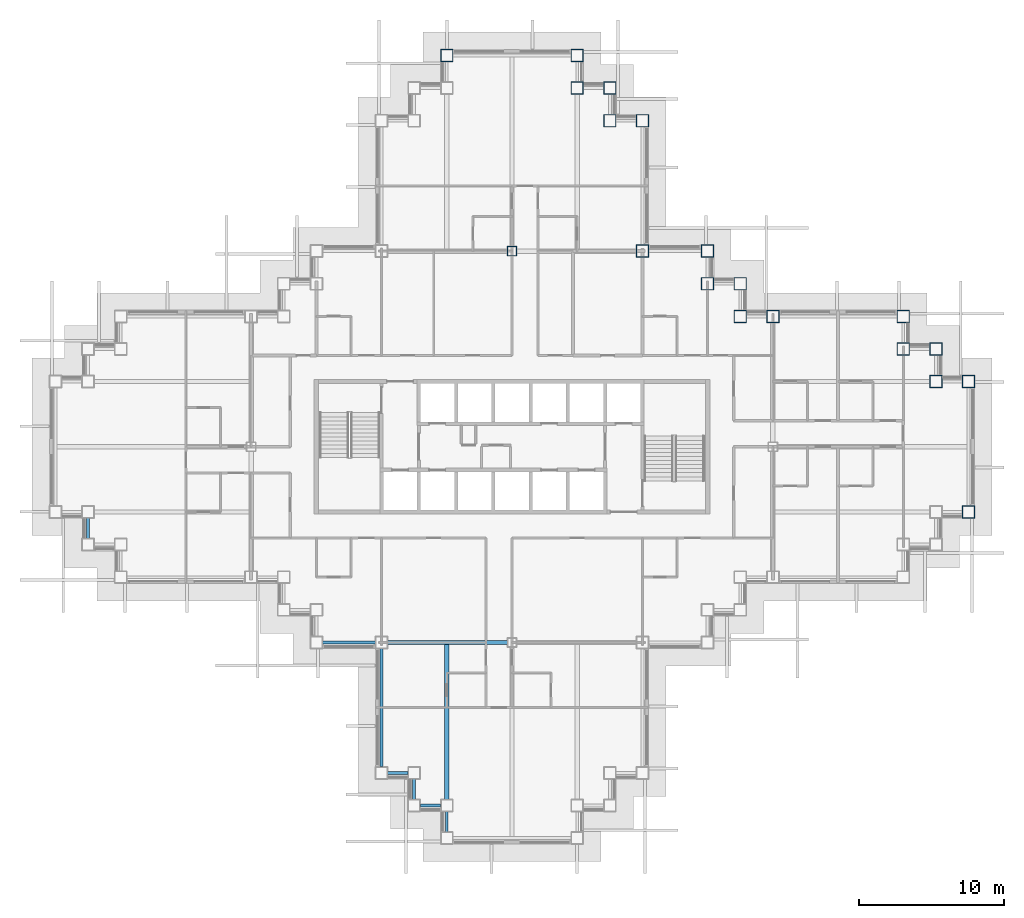
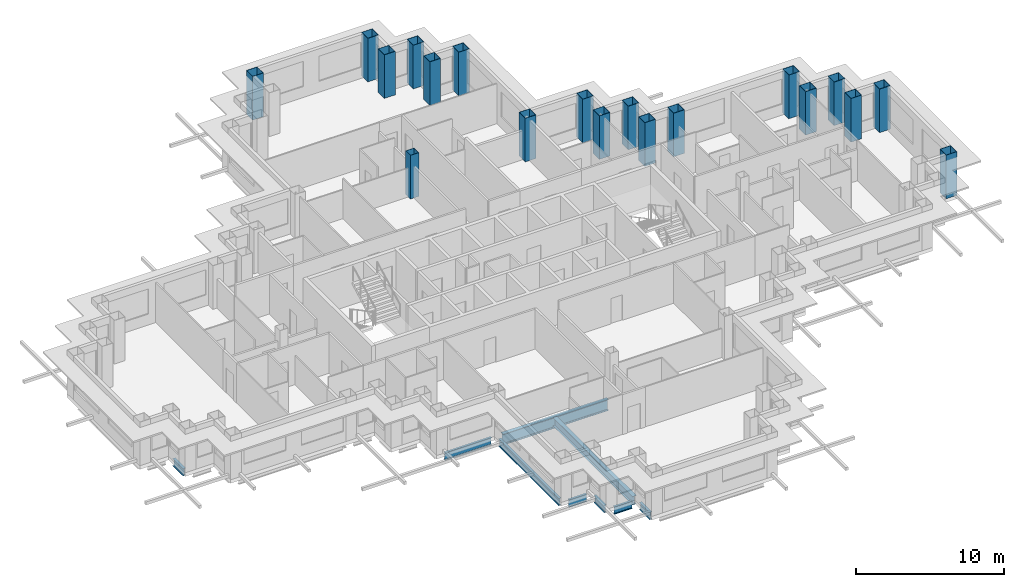
# One storey, part 2 of 17: 19 columns, 9 beams.
"""IFC4 building model written with IfcOpenShell, lengths in metres."""

from ifc_helpers import new_model, si_unit, direction, frame, origin, origin_2d, place, context, subcontext, project, spatial, hollow_rectangle, i_section, extrude, material, material_profile, profile_set, type_object, element, save


model = new_model("IFC4")

# Units and contexts
model_context = context("Model", 3, precision=1e-05, world=origin(), true_north=direction((0.0, 1.0)))
body_context = subcontext(model_context, "Body", "Model", "MODEL_VIEW")
ifc_project = project(units=[si_unit("LENGTHUNIT", "METRE"), si_unit("AREAUNIT", "SQUARE_METRE"), si_unit("VOLUMEUNIT", "CUBIC_METRE"), si_unit("PLANEANGLEUNIT", "RADIAN"), si_unit("MASSUNIT", "GRAM", prefix="KILO")], contexts=[model_context])

# Site, building, storey
site_placement = place(None, origin())
site = spatial("IfcSite", under=ifc_project, at=site_placement, CompositionType="ELEMENT")
building_placement = place(site_placement, origin())
building = spatial("IfcBuilding", under=site, at=building_placement, Name="Caravel Reach Hotel and Residences", CompositionType="ELEMENT")
storey_placement = place(building_placement, frame((0.0, 0.0, 126.0)))
storey = spatial("IfcBuildingStorey", under=building, at=storey_placement, Name="L31", CompositionType="ELEMENT", Elevation=126.0)

# Columns
ifc_material_1 = material(Name="Concrete-filled steel tube Q390B with Concrete C70 infill", Category="concrete")
ifc_material_profile_1 = material_profile(ifc_material_1, hollow_rectangle(XDim=0.64990234375, YDim=0.64990234375, WallThickness=0.02099609375, at=origin_2d()), Name="RHS 650x650x21")
ifc_profile_set_1 = profile_set([ifc_material_profile_1], Name="Concrete-filled steel tube Q390B with Concrete C70 infill")
column_type_1 = type_object("IfcColumnType", Name="CFT 650x650 Q390B C70", PredefinedType="COLUMN", material=ifc_profile_set_1)
column_placement = place(storey_placement, frame((31.5, 40.5, 0.0), z_axis=(0.0, 0.0, 1.0), x_axis=(1.0, 0.0, 0.0)))
element("IfcColumn", 1, at=column_placement, inside=storey, type_object=column_type_1, Name="C17 column", PredefinedType="COLUMN", context=body_context, shape_type="SweptSolid", body=[
    extrude(hollow_rectangle(XDim=0.64990234375, YDim=0.64990234375, WallThickness=0.02099609375, at=origin_2d()), origin(), (0.0, 0.0, 1.0), 3.60009765625),
])
ifc_material_2 = material(Name="Concrete-filled steel tube Q390B with Concrete C70 infill", Category="concrete")
ifc_material_profile_2 = material_profile(ifc_material_2, hollow_rectangle(XDim=0.85009765625, YDim=0.85009765625, WallThickness=0.02587890625, at=origin_2d()), Name="RHS 850x850x26")
ifc_profile_set_2 = profile_set([ifc_material_profile_2], Name="Concrete-filled steel tube Q390B with Concrete C70 infill")
column_type_2 = type_object("IfcColumnType", Name="CFT 850x850 Q390B C70", PredefinedType="COLUMN", material=ifc_profile_set_2)
for number, where, z_axis, x_axis, name in (
    (2, (63.0, 22.5, 0.0), (0.0, 0.0, 1.0), (1.0, 0.0, 0.0), "C13 column"),
    (3, (63.0, 31.5, 0.0), (0.0, 0.0, 1.0), (1.0, 0.0, 0.0), "C13 column"),
    (4, (60.75, 31.5, 0.0), (0.0, 0.0, 1.0), (1.0, 0.0, 0.0), "C13 column"),
    (5, (60.75, 33.75, 0.0), (0.0, 0.0, 1.0), (1.0, 0.0, 0.0), "C13 column"),
    (6, (58.5, 33.75, 0.0), (0.0, 0.0, 1.0), (1.0, 0.0, 0.0), "C13 column"),
    (7, (58.5, 36.0, 0.0), (0.0, 0.0, 1.0), (1.0, 0.0, 0.0), "C13 column"),
    (8, (49.5, 36.0, 0.0), (0.0, 0.0, 1.0), (1.0, 0.0, 0.0), "C13 column"),
    (9, (47.25, 36.0, 0.0), (0.0, 0.0, 1.0), (1.0, 0.0, 0.0), "C13 column"),
    (10, (47.25, 38.25, 0.0), (0.0, 0.0, 1.0), (1.0, 0.0, 0.0), "C13 column"),
    (11, (45.0, 38.25, 0.0), (0.0, 0.0, 1.0), (1.0, 0.0, 0.0), "C13 column"),
    (12, (45.0, 40.5, 0.0), (0.0, 0.0, 1.0), (1.0, 0.0, 0.0), "C13 column"),
    (13, (40.5, 40.5, 0.0), (0.0, 0.0, 1.0), (1.0, 0.0, 0.0), "C13 column"),
    (14, (40.5, 49.5, 0.0), (0.0, 0.0, 1.0), (1.0, 0.0, 0.0), "C13 column"),
    (15, (38.25, 49.5, 0.0), (0.0, 0.0, 1.0), (1.0, 0.0, 0.0), "C13 column"),
    (16, (38.25, 51.75, 0.0), (0.0, 0.0, 1.0), (1.0, 0.0, 0.0), "C13 column"),
    (17, (36.0, 51.75, 0.0), (0.0, 0.0, 1.0), (1.0, 0.0, 0.0), "C13 column"),
    (18, (36.0, 54.0, 0.0), (0.0, 0.0, 1.0), (1.0, 0.0, 0.0), "C13 column"),
    (19, (27.0, 54.0, 0.0), (0.0, 0.0, 1.0), (1.0, 0.0, 0.0), "C13 column"),
):
    element("IfcColumn", number, at=place(storey_placement, frame(where, z_axis=z_axis, x_axis=x_axis)), inside=storey, type_object=column_type_2, Name=name, PredefinedType="COLUMN", context=body_context, shape_type="SweptSolid", body=[
        extrude(hollow_rectangle(XDim=0.85009765625, YDim=0.85009765625, WallThickness=0.02587890625, at=origin_2d()), origin(), (0.0, 0.0, 1.0), 3.60009765625),
    ])

# Beams
ifc_material_3 = material(Name="Structural steel Q355B", Category="steel")
ifc_material_profile_3 = material_profile(ifc_material_3, i_section(OverallWidth=0.300048828125, OverallDepth=0.699951171875, WebThickness=0.012939453125, FlangeThickness=0.02392578125, FilletRadius=0.01806640625, at=origin_2d()), Name="HN 700x300x13x24")
ifc_profile_set_3 = profile_set([ifc_material_profile_3], Name="Structural steel Q355B")
beam_type_1 = type_object("IfcBeamType", Name="Beam HN 700x300x13x24", PredefinedType="BEAM", material=ifc_profile_set_3)
beam_1_placement = place(storey_placement, frame((27.0, 13.39990234375, -0.64990234375), z_axis=(0.0, -1.0, 0.0), x_axis=(1.0, 0.0, 0.0)))
element("IfcBeam", 20, at=beam_1_placement, inside=storey, type_object=beam_type_1, Name="B2 HN 700x300x13x24", PredefinedType="BEAM", context=body_context, shape_type="SweptSolid", body=[
    extrude(i_section(OverallWidth=0.300048828125, OverallDepth=0.699951171875, WebThickness=0.012939453125, FlangeThickness=0.02392578125, FilletRadius=0.01806640625, at=origin_2d()), origin(), (0.0, 0.0, 1.0), 10.77490234375),
])
ifc_material_4 = material(Name="Structural steel Q355B", Category="steel")
ifc_material_profile_4 = material_profile(ifc_material_4, i_section(OverallWidth=0.300048828125, OverallDepth=0.89990234375, WebThickness=0.01611328125, FlangeThickness=0.028076171875, FilletRadius=0.01806640625, at=origin_2d()), Name="HN 900x300x16x28")
ifc_profile_set_4 = profile_set([ifc_material_profile_4], Name="Structural steel Q355B")
beam_type_2 = type_object("IfcBeamType", Name="Beam HN 900x300x16x28", PredefinedType="BEAM", material=ifc_profile_set_4)
beam_2_placement = place(storey_placement, frame((22.925048828125, 13.5, -0.75), z_axis=(1.0, 0.0, 0.0), x_axis=(0.0, 1.0, 0.0)))
element("IfcBeam", 21, at=beam_2_placement, inside=storey, type_object=beam_type_2, Name="B3 HN 900x300x16x28", PredefinedType="BEAM", context=body_context, shape_type="SweptSolid", body=[
    extrude(i_section(OverallWidth=0.300048828125, OverallDepth=0.89990234375, WebThickness=0.01611328125, FlangeThickness=0.028076171875, FilletRadius=0.01806640625, at=origin_2d()), origin(), (0.0, 0.0, 1.0), 8.25),
])
ifc_material_5 = material(Name="Structural steel Q355B", Category="steel")
ifc_material_profile_5 = material_profile(ifc_material_5, i_section(OverallWidth=0.199951171875, OverallDepth=0.60009765625, WebThickness=0.010986328125, FlangeThickness=0.01708984375, FilletRadius=0.012939453125, at=origin_2d()), Name="HN 600x200x11x17")
ifc_profile_set_5 = profile_set([ifc_material_profile_5], Name="Structural steel Q355B")
beam_type_3 = type_object("IfcBeamType", Name="Spandrel beam HN 600x200x11x17", PredefinedType="SPANDREL", material=ifc_profile_set_5)
for number, where, z_axis, x_axis, name in (
    (22, (22.925048828125, 4.5, -0.60009765625), (1.0, 0.0, 0.0), (0.0, 1.0, 0.0), "SP1 HN 600x200x11x17"),
    (23, (24.75, 4.074951171875, -0.60009765625), (0.0, -1.0, 0.0), (1.0, 0.0, 0.0), "SP1 HN 600x200x11x17"),
    (24, (25.175048828125, 2.25, -0.60009765625), (1.0, 0.0, 0.0), (0.0, 1.0, 0.0), "SP1 HN 600x200x11x17"),
    (25, (27.0, 1.824951171875, -0.60009765625), (0.0, -1.0, 0.0), (1.0, 0.0, 0.0), "SP1 HN 600x200x11x17"),
    (26, (2.25, 22.074951171875, -0.60009765625), (0.0, -1.0, 0.0), (1.0, 0.0, 0.0), "SP1 HN 600x200x11x17"),
):
    element("IfcBeam", number, at=place(storey_placement, frame(where, z_axis=z_axis, x_axis=x_axis)), inside=storey, type_object=beam_type_3, Name=name, PredefinedType="SPANDREL", context=body_context, shape_type="SweptSolid", body=[
        extrude(i_section(OverallWidth=0.199951171875, OverallDepth=0.60009765625, WebThickness=0.010986328125, FlangeThickness=0.01708984375, FilletRadius=0.012939453125, at=origin_2d()), origin(), (0.0, 0.0, 1.0), 1.39990234375),
    ])
beam_3_placement = place(storey_placement, frame((18.425048828125, 13.5, -0.60009765625), z_axis=(1.0, 0.0, 0.0), x_axis=(0.0, 1.0, 0.0)))
element("IfcBeam", 27, at=beam_3_placement, inside=storey, type_object=beam_type_3, Name="SP1 HN 600x200x11x17", PredefinedType="SPANDREL", context=body_context, shape_type="SweptSolid", body=[
    extrude(i_section(OverallWidth=0.199951171875, OverallDepth=0.60009765625, WebThickness=0.010986328125, FlangeThickness=0.01708984375, FilletRadius=0.012939453125, at=origin_2d()), origin(), (0.0, 0.0, 1.0), 3.64990234375),
])
beam_4_placement = place(storey_placement, frame((22.5, 13.074951171875, -0.60009765625), z_axis=(0.0, -1.0, 0.0), x_axis=(1.0, 0.0, 0.0)))
element("IfcBeam", 28, at=beam_4_placement, inside=storey, type_object=beam_type_3, Name="SP1 HN 600x200x11x17", PredefinedType="SPANDREL", context=body_context, shape_type="SweptSolid", body=[
    extrude(i_section(OverallWidth=0.199951171875, OverallDepth=0.60009765625, WebThickness=0.010986328125, FlangeThickness=0.01708984375, FilletRadius=0.012939453125, at=origin_2d()), origin(), (0.0, 0.0, 1.0), 8.14990234375),
])

save(model, "model.ifc")
